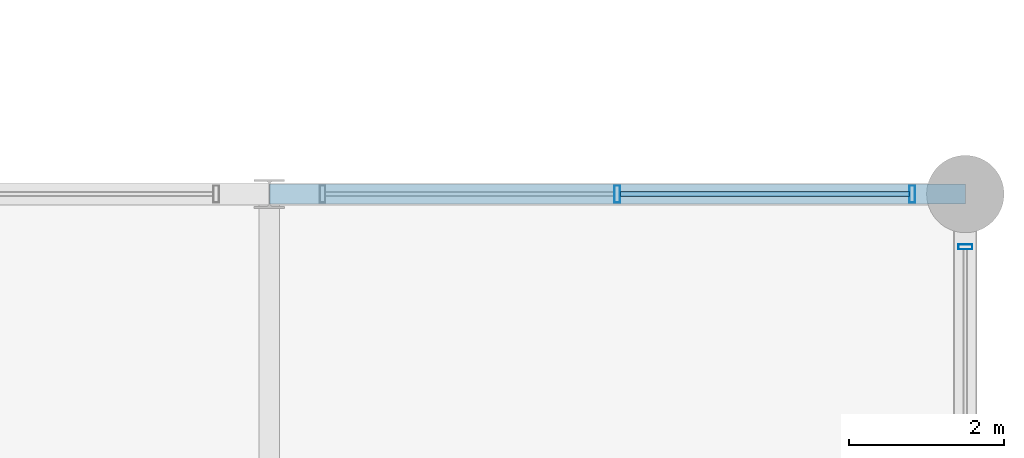
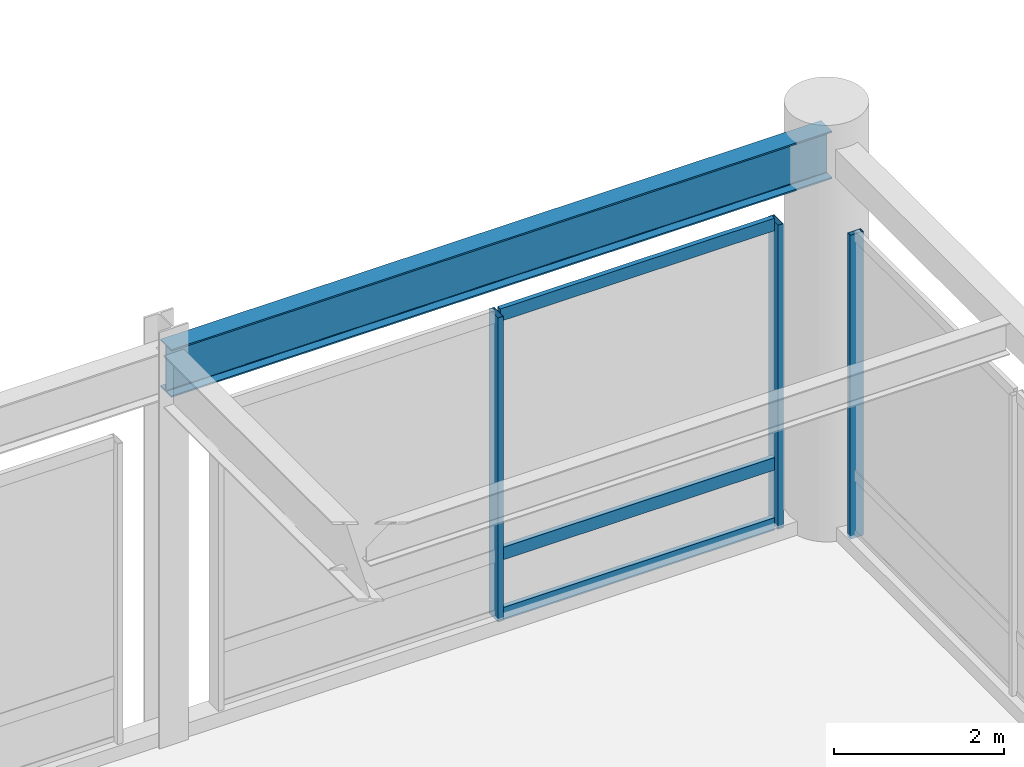
# One storey, part 65 of 108: 6 members, 1 beam, 2 elements without a shape of their own.
"""IFC4 building model written with IfcOpenShell, lengths in metres."""

from ifc_helpers import new_model, si_unit, direction, frame, origin, origin_2d, place, context, subcontext, project, spatial, hollow_rectangle, i_section, extrude, material, material_profile, profile_set, type_object, element, aggregate, save


model = new_model("IFC4")

# Units and contexts
model_context = context("Model", 3, precision=1e-05, world=origin(), true_north=direction((0.0, 1.0)))
body_context = subcontext(model_context, "Body", "Model", "MODEL_VIEW")
ifc_project = project(units=[si_unit("LENGTHUNIT", "METRE"), si_unit("AREAUNIT", "SQUARE_METRE"), si_unit("VOLUMEUNIT", "CUBIC_METRE"), si_unit("PLANEANGLEUNIT", "RADIAN"), si_unit("MASSUNIT", "GRAM", prefix="KILO")], contexts=[model_context])

# Site, building, storey
site_placement = place(None, origin())
site = spatial("IfcSite", under=ifc_project, at=site_placement, CompositionType="ELEMENT")
building_placement = place(site_placement, origin())
building = spatial("IfcBuilding", under=site, at=building_placement, Name="Kaldorvane Square Convention Centre", CompositionType="ELEMENT")
storey_placement = place(building_placement, frame((0.0, 0.0, 12.0)))
storey = spatial("IfcBuildingStorey", under=building, at=storey_placement, Name="L02", CompositionType="ELEMENT", Elevation=12.0)

# Beam
ifc_material_1 = material(Name="Steel ASTM A992 Gr. 50", Category="steel")
ifc_material_profile_1 = material_profile(ifc_material_1, i_section(OverallWidth=0.25439453125, OverallDepth=0.6880950927734375, WebThickness=0.0131072998046875, FlangeThickness=0.0211029052734375, FilletRadius=0.01519775390625, at=origin_2d()), Name="W27X102")
ifc_profile_set_1 = profile_set([ifc_material_profile_1], Name="Steel ASTM A992 Gr. 50")
beam_type = type_object("IfcBeamType", Name="BM-GR-W27X102", PredefinedType="BEAM", material=ifc_profile_set_1)
beam_placement = place(storey_placement, frame((165.0, 36.0, 5.3018951416015625), z_axis=(1.0, 0.0, 0.0), x_axis=(0.0, 1.0, 0.0)))
element("IfcBeam", 1, at=beam_placement, inside=storey, type_object=beam_type, Name="Primary Girder (L02)", PredefinedType="BEAM", context=body_context, shape_type="SweptSolid", body=[
    extrude(i_section(OverallWidth=0.25439453125, OverallDepth=0.6880950927734375, WebThickness=0.0131072998046875, FlangeThickness=0.0211029052734375, FilletRadius=0.01519775390625, at=origin_2d()), origin(), (0.0, 0.0, 1.0), 9.0),
])

# Curtain wall, member
ifc_material_2 = material(Name="Anodized Aluminum and Low-E Insulated Glazing", Category="aluminium")
curtain_wall_type_1 = type_object("IfcCurtainWallType", Name="CW-UNI-P60-09", PredefinedType="USERDEFINED", material=ifc_material_2)
curtain_wall_1_placement = place(storey_placement, origin())
curtain_wall_1 = element("IfcCurtainWall", 2, at=curtain_wall_1_placement, inside=storey, type_object=curtain_wall_type_1, Name="Curtain Wall CW-02 (L02)", ObjectType="UNITISED GLAZING", PredefinedType="USERDEFINED")
ifc_material_profile_2 = material_profile(ifc_material_2, hollow_rectangle(XDim=0.06500244140625, YDim=0.17999267578125, WallThickness=0.0034942626953125, at=origin_2d()), Name="CWM-180X65")
ifc_profile_set_2 = profile_set([ifc_material_profile_2], Name="Anodized Aluminum and Low-E Insulated Glazing")
member_type_1 = type_object("IfcMemberType", Name="CW-MUL-180", PredefinedType="MULLION", material=ifc_profile_set_2)
member_1_placement = place(storey_placement, frame((174.0, 35.3175048828125, 0.149993896484375), z_axis=(0.0, 0.0, 1.0), x_axis=(0.0, 1.0, 0.0)))
member_1 = element("IfcMember", 3, at=member_1_placement, type_object=member_type_1, Name="CW-02 mullion 3", PredefinedType="MULLION", context=body_context, shape_type="SweptSolid", body=[
    extrude(hollow_rectangle(XDim=0.06500244140625, YDim=0.17999267578125, WallThickness=0.0034942626953125, at=origin_2d()), origin(), (0.0, 0.0, 1.0), 4.3800048828125),
])
aggregate(curtain_wall_1, [member_1])

# Curtain wall, members
curtain_wall_type_2 = type_object("IfcCurtainWallType", Name="CW-PTS-FC-60", PredefinedType="USERDEFINED", material=ifc_material_2)
curtain_wall_2_placement = place(storey_placement, origin())
curtain_wall_2 = element("IfcCurtainWall", 4, at=curtain_wall_2_placement, inside=storey, type_object=curtain_wall_type_2, Name="Curtain Wall CW-07 (L02)", ObjectType="POINT SUPPORTED GLAZING", PredefinedType="USERDEFINED")
ifc_material_profile_3 = material_profile(ifc_material_2, hollow_rectangle(XDim=0.0749969482421875, YDim=0.220001220703125, WallThickness=0.003997802734375, at=origin_2d()), Name="CWM-220X75")
ifc_profile_set_3 = profile_set([ifc_material_profile_3], Name="Anodized Aluminum and Low-E Insulated Glazing")
member_type_2 = type_object("IfcMemberType", Name="CW-MUL-220", PredefinedType="MULLION", material=ifc_profile_set_3)
member_2_placement = place(storey_placement, frame((173.3125, 36.0, 0.149993896484375), z_axis=(0.0, 0.0, 1.0), x_axis=(-1.0, 0.0, 0.0)))
member_2 = element("IfcMember", 5, at=member_2_placement, type_object=member_type_2, Name="CW-07 mullion 1", PredefinedType="MULLION", context=body_context, shape_type="SweptSolid", body=[
    extrude(hollow_rectangle(XDim=0.0749969482421875, YDim=0.220001220703125, WallThickness=0.003997802734375, at=origin_2d()), origin(), (0.0, 0.0, 1.0), 4.3800048828125),
])
member_3_placement = place(storey_placement, frame((169.5, 36.0, 0.149993896484375), z_axis=(0.0, 0.0, 1.0), x_axis=(-1.0, 0.0, 0.0)))
member_3 = element("IfcMember", 6, at=member_3_placement, type_object=member_type_2, Name="CW-07 mullion 2", PredefinedType="MULLION", context=body_context, shape_type="SweptSolid", body=[
    extrude(hollow_rectangle(XDim=0.0749969482421875, YDim=0.220001220703125, WallThickness=0.003997802734375, at=origin_2d()), origin(), (0.0, 0.0, 1.0), 4.3800048828125),
])
ifc_material_profile_4 = material_profile(ifc_material_2, hollow_rectangle(XDim=0.06500244140625, YDim=0.17999267578125, WallThickness=0.0034942626953125, at=origin_2d()), Name="CWT-180X65")
ifc_profile_set_4 = profile_set([ifc_material_profile_4], Name="Anodized Aluminum and Low-E Insulated Glazing")
member_type_3 = type_object("IfcMemberType", Name="CW-TRN-180", PredefinedType="USERDEFINED", material=ifc_profile_set_4)
member_4_placement = place(storey_placement, frame((173.27499389648438, 36.0, 0.1824951171875), z_axis=(-1.0, 0.0, 0.0), x_axis=(0.0, -1.0, 0.0)))
member_4 = element("IfcMember", 7, at=member_4_placement, type_object=member_type_3, Name="CW-07 transom 1.1", ObjectType="TRANSOM", PredefinedType="USERDEFINED", context=body_context, shape_type="SweptSolid", body=[
    extrude(hollow_rectangle(XDim=0.06500244140625, YDim=0.17999267578125, WallThickness=0.0034942626953125, at=origin_2d()), origin(), (0.0, 0.0, 1.0), 3.73748779296875),
])
member_5_placement = place(storey_placement, frame((173.27499389648438, 36.0, 1.0500030517578125), z_axis=(-1.0, 0.0, 0.0), x_axis=(0.0, -1.0, 0.0)))
member_5 = element("IfcMember", 8, at=member_5_placement, type_object=member_type_3, Name="CW-07 transom 1.2", ObjectType="TRANSOM", PredefinedType="USERDEFINED", context=body_context, shape_type="SweptSolid", body=[
    extrude(hollow_rectangle(XDim=0.06500244140625, YDim=0.17999267578125, WallThickness=0.0034942626953125, at=origin_2d()), origin(), (0.0, 0.0, 1.0), 3.73748779296875),
])
member_6_placement = place(storey_placement, frame((173.27499389648438, 36.0, 4.49749755859375), z_axis=(-1.0, 0.0, 0.0), x_axis=(0.0, -1.0, 0.0)))
member_6 = element("IfcMember", 9, at=member_6_placement, type_object=member_type_3, Name="CW-07 transom 1.3", ObjectType="TRANSOM", PredefinedType="USERDEFINED", context=body_context, shape_type="SweptSolid", body=[
    extrude(hollow_rectangle(XDim=0.06500244140625, YDim=0.17999267578125, WallThickness=0.0034942626953125, at=origin_2d()), origin(), (0.0, 0.0, 1.0), 3.73748779296875),
])
aggregate(curtain_wall_2, [member_2, member_3, member_4, member_5, member_6])

save(model, "model.ifc")
